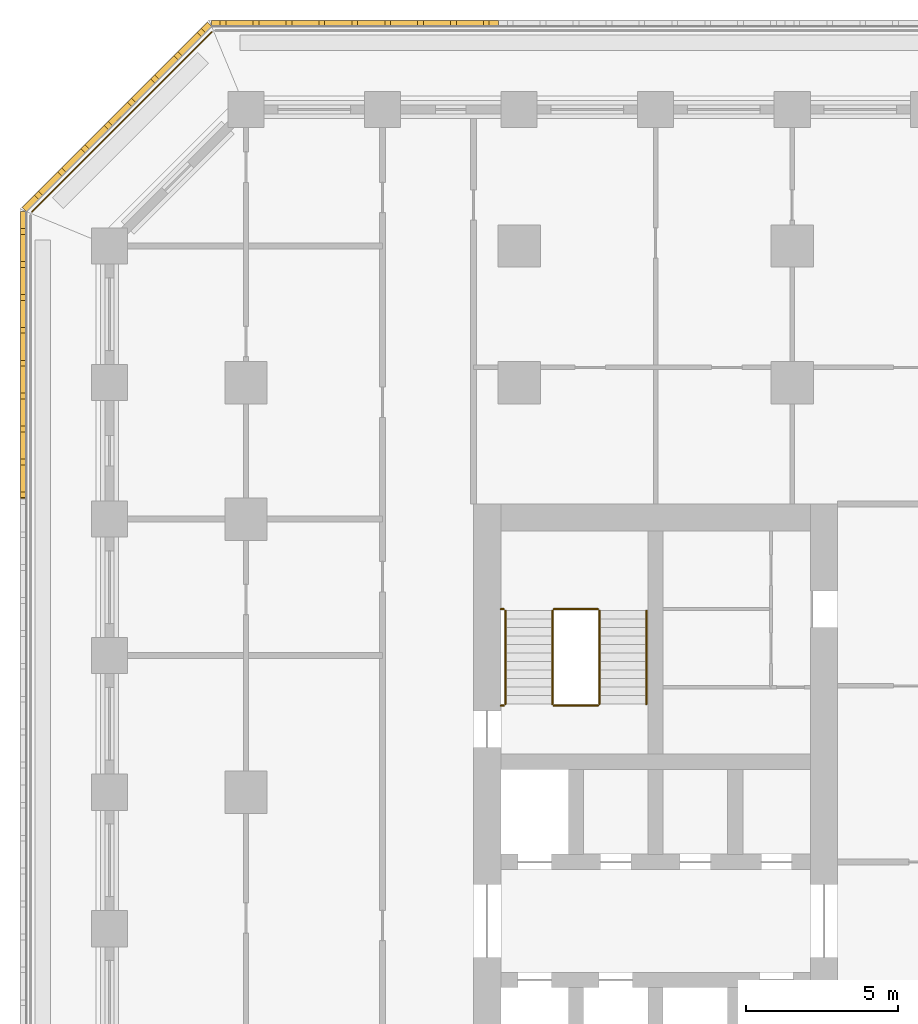
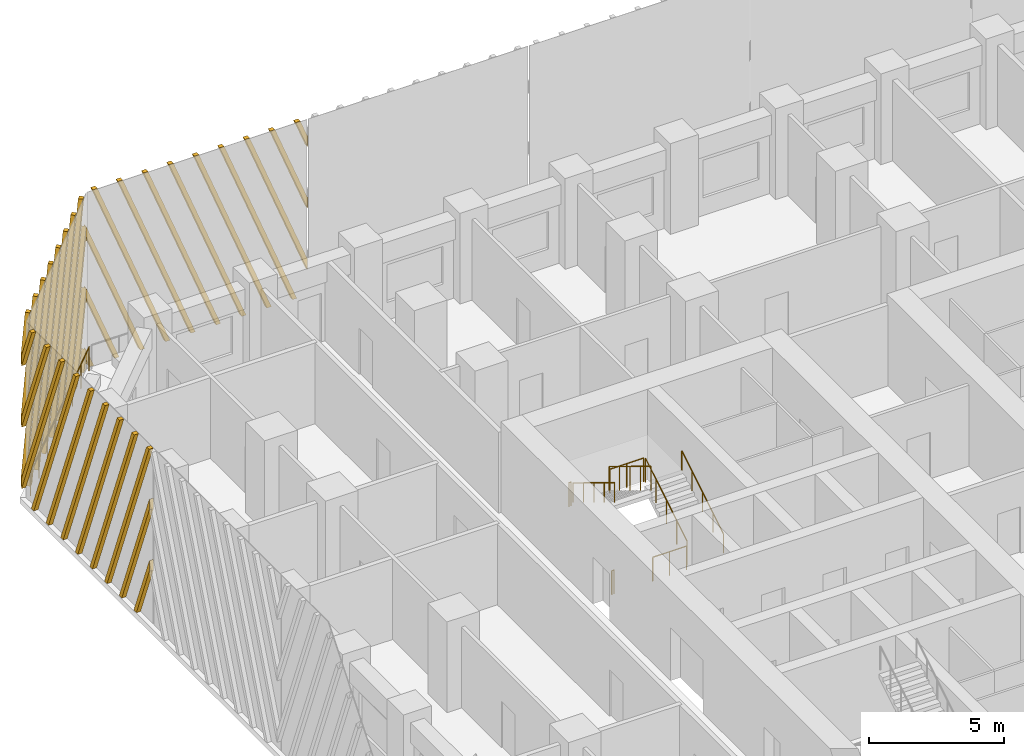
# One storey, part 16 of 20: 9 railings, 3 shading devices.
"""IFC4 building model written with IfcOpenShell, lengths in metres."""

from ifc_helpers import new_model, si_unit, direction, frame, origin, origin_2d, place, context, subcontext, project, spatial, polyline, circle, outline, extrude, source, transform, mapped, material, type_object, element, save


model = new_model("IFC4")

# Units and contexts
model_context = context("Model", 3, precision=1e-05, world=origin(), true_north=direction((0.0, 1.0)))
body_context = subcontext(model_context, "Body", "Model", "MODEL_VIEW")
ifc_project = project(units=[si_unit("LENGTHUNIT", "METRE"), si_unit("AREAUNIT", "SQUARE_METRE"), si_unit("VOLUMEUNIT", "CUBIC_METRE"), si_unit("PLANEANGLEUNIT", "RADIAN"), si_unit("MASSUNIT", "GRAM", prefix="KILO")], contexts=[model_context])

# Site, building, storey
site_placement = place(None, origin())
site = spatial("IfcSite", under=ifc_project, at=site_placement, CompositionType="ELEMENT")
building_placement = place(site_placement, origin())
building = spatial("IfcBuilding", under=site, at=building_placement, Name="Corbel Stack Research Tower", CompositionType="ELEMENT")
storey_placement = place(building_placement, frame((0.0, 0.0, 98.39990234375)))
storey = spatial("IfcBuildingStorey", under=building, at=storey_placement, Name="L22", CompositionType="ELEMENT", Elevation=98.39990234375)

# Railings
ifc_material_1 = material(Name="Steel S355", Category="steel")
railing_type_1 = type_object("IfcRailingType", Name="Stair guard 1100", PredefinedType="GUARDRAIL", material=ifc_material_1)
railing_1_placement = place(storey_placement, frame((-6.35009765625, 11.89990234375, 0.1708984375)))
element("IfcRailing", 1, at=railing_1_placement, inside=storey, type_object=railing_type_1, Name="L22 ST-W2 stair guard 1", PredefinedType="GUARDRAIL", context=body_context, shape_type="SweptSolid", body=[
    extrude(circle(Radius=0.02392578125, at=origin_2d()), frame((0.0, 0.0, 1.076171875), z_axis=(0.0, 0.853666305674, 0.52082035152), x_axis=(-1.0, 0.0, 0.0)), (0.0, 0.0, 1.0), 3.608154296875),
    extrude(circle(Radius=0.02099609375, at=origin_2d()), origin(), (0.0, 0.0, 1.0), 1.052001953125),
    extrude(circle(Radius=0.02099609375, at=origin_2d()), frame((0.0, 0.77001953125, 0.4697265625)), (0.0, 0.0, 1.0), 1.052001953125),
    extrude(circle(Radius=0.02099609375, at=origin_2d()), frame((0.0, 1.5400390625, 0.939453125)), (0.0, 0.0, 1.0), 1.052001953125),
    extrude(circle(Radius=0.02099609375, at=origin_2d()), frame((0.0, 2.31005859375, 1.409423828125)), (0.0, 0.0, 1.0), 1.052001953125),
    extrude(circle(Radius=0.02099609375, at=origin_2d()), frame((0.0, 3.080078125, 1.879150390625)), (0.0, 0.0, 1.0), 1.052001953125),
])
railing_2_placement = place(storey_placement, frame((-6.39990234375, 15.030029296875, 2.050048828125)))
element("IfcRailing", 2, at=railing_2_placement, inside=storey, type_object=railing_type_1, Name="L22 ST-W2 stair guard 2", PredefinedType="GUARDRAIL", context=body_context, shape_type="SweptSolid", body=[
    extrude(circle(Radius=0.02392578125, at=origin_2d()), frame((0.0, 0.0, 1.076171875), z_axis=(-1.0, 0.0, 0.0), x_axis=(0.0, -1.0, 0.0)), (0.0, 0.0, 1.0), 1.4501953125),
    extrude(circle(Radius=0.02099609375, at=origin_2d()), origin(), (0.0, 0.0, 1.0), 1.052001953125),
    extrude(circle(Radius=0.02099609375, at=origin_2d()), frame((-0.72509765625, 0.0, 0.0)), (0.0, 0.0, 1.0), 1.052001953125),
    extrude(circle(Radius=0.02099609375, at=origin_2d()), frame((-1.4501953125, 0.0, 0.0)), (0.0, 0.0, 1.0), 1.052001953125),
])
railing_3_placement = place(storey_placement, frame((-9.5, 15.030029296875, 2.050048828125)))
element("IfcRailing", 3, at=railing_3_placement, inside=storey, type_object=railing_type_1, Name="L22 ST-W2 stair guard 3", PredefinedType="GUARDRAIL", context=body_context, shape_type="SweptSolid", body=[
    extrude(circle(Radius=0.02392578125, at=origin_2d()), frame((0.0, 0.0, 1.076171875), z_axis=(-1.0, 0.0, 0.0), x_axis=(0.0, -1.0, 0.0)), (0.0, 0.0, 1.0), 0.10009765625),
    extrude(circle(Radius=0.02099609375, at=origin_2d()), origin(), (0.0, 0.0, 1.0), 1.052001953125),
    extrude(circle(Radius=0.02099609375, at=origin_2d()), frame((-0.10009765625, 0.0, 0.0)), (0.0, 0.0, 1.0), 1.052001953125),
])
railing_4_placement = place(storey_placement, frame((-7.89990234375, 14.97998046875, 2.220947265625)))
element("IfcRailing", 4, at=railing_4_placement, inside=storey, type_object=railing_type_1, Name="L22 ST-W2 stair guard 4", PredefinedType="GUARDRAIL", context=body_context, shape_type="SweptSolid", body=[
    extrude(circle(Radius=0.02392578125, at=origin_2d()), frame((0.0, 0.0, 1.076171875), z_axis=(0.0, -0.853666305674, 0.52082035152), x_axis=(1.0, 0.0, 0.0)), (0.0, 0.0, 1.0), 3.608154296875),
    extrude(circle(Radius=0.02099609375, at=origin_2d()), origin(), (0.0, 0.0, 1.0), 1.052001953125),
    extrude(circle(Radius=0.02099609375, at=origin_2d()), frame((0.0, -0.77001953125, 0.4697265625)), (0.0, 0.0, 1.0), 1.052001953125),
    extrude(circle(Radius=0.02099609375, at=origin_2d()), frame((0.0, -1.5400390625, 0.939453125)), (0.0, 0.0, 1.0), 1.052001953125),
    extrude(circle(Radius=0.02099609375, at=origin_2d()), frame((0.0, -2.31005859375, 1.409423828125)), (0.0, 0.0, 1.0), 1.052001953125),
    extrude(circle(Radius=0.02099609375, at=origin_2d()), frame((0.0, -3.080078125, 1.879150390625)), (0.0, 0.0, 1.0), 1.052001953125),
])
railing_5_placement = place(storey_placement, frame((-6.39990234375, 11.85009765625, 0.0)))
element("IfcRailing", 5, at=railing_5_placement, inside=storey, type_object=railing_type_1, Name="L22 ST-W2 stair guard 5", PredefinedType="GUARDRAIL", context=body_context, shape_type="SweptSolid", body=[
    extrude(circle(Radius=0.02392578125, at=origin_2d()), frame((0.0, 0.0, 1.076171875), z_axis=(-1.0, 0.0, 0.0), x_axis=(0.0, -1.0, 0.0)), (0.0, 0.0, 1.0), 1.4501953125),
    extrude(circle(Radius=0.02099609375, at=origin_2d()), origin(), (0.0, 0.0, 1.0), 1.052001953125),
    extrude(circle(Radius=0.02099609375, at=origin_2d()), frame((-0.72509765625, 0.0, 0.0)), (0.0, 0.0, 1.0), 1.052001953125),
    extrude(circle(Radius=0.02099609375, at=origin_2d()), frame((-1.4501953125, 0.0, 0.0)), (0.0, 0.0, 1.0), 1.052001953125),
])
railing_6_placement = place(storey_placement, frame((-9.5, 11.85009765625, 0.0)))
element("IfcRailing", 6, at=railing_6_placement, inside=storey, type_object=railing_type_1, Name="L22 ST-W2 stair guard 6", PredefinedType="GUARDRAIL", context=body_context, shape_type="SweptSolid", body=[
    extrude(circle(Radius=0.02392578125, at=origin_2d()), frame((0.0, 0.0, 1.076171875), z_axis=(-1.0, 0.0, 0.0), x_axis=(0.0, -1.0, 0.0)), (0.0, 0.0, 1.0), 0.10009765625),
    extrude(circle(Radius=0.02099609375, at=origin_2d()), origin(), (0.0, 0.0, 1.0), 1.052001953125),
    extrude(circle(Radius=0.02099609375, at=origin_2d()), frame((-0.10009765625, 0.0, 0.0)), (0.0, 0.0, 1.0), 1.052001953125),
])
ifc_material_2 = material(Name="Steel S355", Category="steel")
railing_type_2 = type_object("IfcRailingType", Name="Stair handrail 900", PredefinedType="HANDRAIL", material=ifc_material_2)
railing_7_placement = place(storey_placement, frame((-4.800048828125, 11.89990234375, 0.1708984375)))
element("IfcRailing", 7, at=railing_7_placement, inside=storey, type_object=railing_type_2, Name="L22 ST-W2 stair handrail 1", PredefinedType="HANDRAIL", context=body_context, shape_type="SweptSolid", body=[
    extrude(circle(Radius=0.02392578125, at=origin_2d()), frame((0.0, 0.0, 0.8759765625), z_axis=(0.0, 0.853666305674, 0.52082035152), x_axis=(-1.0, 0.0, 0.0)), (0.0, 0.0, 1.0), 3.608154296875),
    extrude(circle(Radius=0.02099609375, at=origin_2d()), origin(), (0.0, 0.0, 1.0), 0.851806640625),
    extrude(circle(Radius=0.02099609375, at=origin_2d()), frame((0.0, 0.77001953125, 0.4697265625)), (0.0, 0.0, 1.0), 0.851806640625),
    extrude(circle(Radius=0.02099609375, at=origin_2d()), frame((0.0, 1.5400390625, 0.939453125)), (0.0, 0.0, 1.0), 0.851806640625),
    extrude(circle(Radius=0.02099609375, at=origin_2d()), frame((0.0, 2.31005859375, 1.409423828125)), (0.0, 0.0, 1.0), 0.851806640625),
    extrude(circle(Radius=0.02099609375, at=origin_2d()), frame((0.0, 3.080078125, 1.879150390625)), (0.0, 0.0, 1.0), 0.851806640625),
])
railing_8_placement = place(storey_placement, frame((-9.449951171875, 14.97998046875, 2.220947265625)))
element("IfcRailing", 8, at=railing_8_placement, inside=storey, type_object=railing_type_2, Name="L22 ST-W2 stair handrail 2", PredefinedType="HANDRAIL", context=body_context, shape_type="SweptSolid", body=[
    extrude(circle(Radius=0.02392578125, at=origin_2d()), frame((0.0, 0.0, 0.8759765625), z_axis=(0.0, -0.853666305674, 0.52082035152), x_axis=(1.0, 0.0, 0.0)), (0.0, 0.0, 1.0), 3.608154296875),
    extrude(circle(Radius=0.02099609375, at=origin_2d()), origin(), (0.0, 0.0, 1.0), 0.851806640625),
    extrude(circle(Radius=0.02099609375, at=origin_2d()), frame((0.0, -0.77001953125, 0.4697265625)), (0.0, 0.0, 1.0), 0.851806640625),
    extrude(circle(Radius=0.02099609375, at=origin_2d()), frame((0.0, -1.5400390625, 0.939453125)), (0.0, 0.0, 1.0), 0.851806640625),
    extrude(circle(Radius=0.02099609375, at=origin_2d()), frame((0.0, -2.31005859375, 1.409423828125)), (0.0, 0.0, 1.0), 0.851806640625),
    extrude(circle(Radius=0.02099609375, at=origin_2d()), frame((0.0, -3.080078125, 1.879150390625)), (0.0, 0.0, 1.0), 0.851806640625),
])
ifc_material_3 = material(Name="Powder-coated steel guard", Category="steel")
railing_type_3 = type_object("IfcRailingType", Name="Steel and glass guard 1100", PredefinedType="GUARDRAIL", material=ifc_material_3)
railing_9_placement = place(storey_placement, frame((-19.127685546875, 34.04931640625, 0.0)))
element("IfcRailing", 9, at=railing_9_placement, inside=storey, type_object=railing_type_3, Name="Loggia guard L22 NW", PredefinedType="GUARDRAIL", context=body_context, shape_type="SweptSolid", body=[
    extrude(circle(Radius=0.02392578125, at=origin_2d()), frame((0.0, 0.0, 1.076171875), z_axis=(-0.707106781187, -0.707106781187, 0.0), x_axis=(0.707106781187, -0.707106781187, 0.0)), (0.0, 0.0, 1.0), 8.37451171875),
    extrude(circle(Radius=0.02099609375, at=origin_2d()), origin(), (0.0, 0.0, 1.0), 1.052001953125),
    extrude(circle(Radius=0.02099609375, at=origin_2d()), frame((-0.845947265625, -0.845947265625, 0.0)), (0.0, 0.0, 1.0), 1.052001953125),
    extrude(circle(Radius=0.02099609375, at=origin_2d()), frame((-1.69189453125, -1.69189453125, 0.0)), (0.0, 0.0, 1.0), 1.052001953125),
    extrude(circle(Radius=0.02099609375, at=origin_2d()), frame((-2.537841796875, -2.537841796875, 0.0)), (0.0, 0.0, 1.0), 1.052001953125),
    extrude(circle(Radius=0.02099609375, at=origin_2d()), frame((-3.3837890625, -3.3837890625, 0.0)), (0.0, 0.0, 1.0), 1.052001953125),
    extrude(circle(Radius=0.02099609375, at=origin_2d()), frame((-4.229736328125, -4.229736328125, 0.0)), (0.0, 0.0, 1.0), 1.052001953125),
    extrude(circle(Radius=0.02099609375, at=origin_2d()), frame((-5.07568359375, -5.07568359375, 0.0)), (0.0, 0.0, 1.0), 1.052001953125),
    extrude(circle(Radius=0.02099609375, at=origin_2d()), frame((-5.921630859375, -5.921630859375, 0.0)), (0.0, 0.0, 1.0), 1.052001953125),
])

# Shading devices
ifc_material_4 = material(Name="Precast terracotta", Category="masonry")
shading_device_type = type_object("IfcShadingDeviceType", Name="Terracotta screen panel", PredefinedType="USERDEFINED", material=ifc_material_4)
shared_shape_1 = source(origin(), body_context, "Body", "SweptSolid", [
    extrude(outline(polyline([(0.48828125, 7.949951171875), (0.298095703125, 7.949951171875), (0.0, 7.1865234375), (0.0, 6.699951171875), (0.48828125, 7.949951171875)])), frame((0.0, 0.0, 0.0), z_axis=(0.0, -1.0, 0.0), x_axis=(1.0, 0.0, 0.0)), (0.0, 0.0, 1.0), 0.179931640625),
    extrude(outline(polyline([(1.572998046875, 7.949951171875), (1.3828125, 7.949951171875), (0.0, 4.4091796875), (0.0, 3.922607421875), (1.572998046875, 7.949951171875)])), frame((0.0, 0.0, 0.0), z_axis=(0.0, -1.0, 0.0), x_axis=(1.0, 0.0, 0.0)), (0.0, 0.0, 1.0), 0.179931640625),
    extrude(outline(polyline([(2.657470703125, 7.949951171875), (2.467529296875, 7.949951171875), (0.0, 1.6318359375), (0.0, 1.1455078125), (2.657470703125, 7.949951171875)])), frame((0.0, 0.0, 0.0), z_axis=(0.0, -1.0, 0.0), x_axis=(1.0, 0.0, 0.0)), (0.0, 0.0, 1.0), 0.179931640625),
    extrude(outline(polyline([(0.63720703125, 0.0), (3.7421875, 7.949951171875), (3.55224609375, 7.949951171875), (0.447265625, 0.0), (0.63720703125, 0.0)])), frame((0.0, 0.0, 0.0), z_axis=(0.0, -1.0, 0.0), x_axis=(1.0, 0.0, 0.0)), (0.0, 0.0, 1.0), 0.179931640625),
    extrude(outline(polyline([(1.721923828125, 0.0), (4.826904296875, 7.949951171875), (4.636962890625, 7.949951171875), (1.531982421875, 0.0), (1.721923828125, 0.0)])), frame((0.0, 0.0, 0.0), z_axis=(0.0, -1.0, 0.0), x_axis=(1.0, 0.0, 0.0)), (0.0, 0.0, 1.0), 0.179931640625),
    extrude(outline(polyline([(2.806640625, 0.0), (5.91162109375, 7.949951171875), (5.721435546875, 7.949951171875), (2.61669921875, 0.0), (2.806640625, 0.0)])), frame((0.0, 0.0, 0.0), z_axis=(0.0, -1.0, 0.0), x_axis=(1.0, 0.0, 0.0)), (0.0, 0.0, 1.0), 0.179931640625),
    extrude(outline(polyline([(3.891357421875, 0.0), (6.99609375, 7.949951171875), (6.80615234375, 7.949951171875), (3.701416015625, 0.0), (3.891357421875, 0.0)])), frame((0.0, 0.0, 0.0), z_axis=(0.0, -1.0, 0.0), x_axis=(1.0, 0.0, 0.0)), (0.0, 0.0, 1.0), 0.179931640625),
    extrude(outline(polyline([(4.97607421875, 0.0), (8.080810546875, 7.949951171875), (7.890869140625, 7.949951171875), (4.785888671875, 0.0), (4.97607421875, 0.0)])), frame((0.0, 0.0, 0.0), z_axis=(0.0, -1.0, 0.0), x_axis=(1.0, 0.0, 0.0)), (0.0, 0.0, 1.0), 0.179931640625),
    extrude(outline(polyline([(6.060791015625, 0.0), (9.16552734375, 7.949951171875), (8.9755859375, 7.949951171875), (5.87060546875, 0.0), (6.060791015625, 0.0)])), frame((0.0, 0.0, 0.0), z_axis=(0.0, -1.0, 0.0), x_axis=(1.0, 0.0, 0.0)), (0.0, 0.0, 1.0), 0.179931640625),
    extrude(outline(polyline([(7.145263671875, 0.0), (9.45556640625, 5.91552734375), (9.45556640625, 6.402099609375), (6.955322265625, 0.0), (7.145263671875, 0.0)])), frame((0.0, 0.0, 0.0), z_axis=(0.0, -1.0, 0.0), x_axis=(1.0, 0.0, 0.0)), (0.0, 0.0, 1.0), 0.179931640625),
    extrude(outline(polyline([(8.22998046875, 0.0), (9.45556640625, 3.13818359375), (9.45556640625, 3.624755859375), (8.0400390625, 0.0), (8.22998046875, 0.0)])), frame((0.0, 0.0, 0.0), z_axis=(0.0, -1.0, 0.0), x_axis=(1.0, 0.0, 0.0)), (0.0, 0.0, 1.0), 0.179931640625),
    extrude(outline(polyline([(9.314697265625, 0.0), (9.45556640625, 0.361083984375), (9.45556640625, 0.847412109375), (9.124755859375, 0.0), (9.314697265625, 0.0)])), frame((0.0, 0.0, 0.0), z_axis=(0.0, -1.0, 0.0), x_axis=(1.0, 0.0, 0.0)), (0.0, 0.0, 1.0), 0.179931640625),
])
shading_device_1_placement = place(storey_placement, frame((-9.68359375, 34.25, 0.0), z_axis=(0.0, 0.0, 1.0), x_axis=(-1.0, 0.0, 0.0)))
element("IfcShadingDevice", 10, at=shading_device_1_placement, inside=storey, type_object=shading_device_type, Name="Terracotta screen L22 N5", ObjectType="SCREEN", PredefinedType="USERDEFINED", context=body_context, shape_type="MappedRepresentation", body=[
    mapped(shared_shape_1, transform((0.0, 0.0, 0.0))),
])
shared_shape_2 = source(origin(), body_context, "Body", "SweptSolid", [
    extrude(outline(polyline([(0.3310546875, 0.0), (0.0, 0.847412109375), (0.0, 0.361083984375), (0.14111328125, 0.0), (0.3310546875, 0.0)])), frame((0.0, 0.0, 0.0), z_axis=(0.0, -1.0, 0.0), x_axis=(1.0, 0.0, 0.0)), (0.0, 0.0, 1.0), 0.179931640625),
    extrude(outline(polyline([(1.41552734375, 0.0), (0.0, 3.624755859375), (0.0, 3.13818359375), (1.2255859375, 0.0), (1.41552734375, 0.0)])), frame((0.0, 0.0, 0.0), z_axis=(0.0, -1.0, 0.0), x_axis=(1.0, 0.0, 0.0)), (0.0, 0.0, 1.0), 0.179931640625),
    extrude(outline(polyline([(2.500244140625, 0.0), (0.0, 6.402099609375), (0.0, 5.91552734375), (2.310302734375, 0.0), (2.500244140625, 0.0)])), frame((0.0, 0.0, 0.0), z_axis=(0.0, -1.0, 0.0), x_axis=(1.0, 0.0, 0.0)), (0.0, 0.0, 1.0), 0.179931640625),
    extrude(outline(polyline([(3.5849609375, 0.0), (0.47998046875, 7.949951171875), (0.2900390625, 7.949951171875), (3.39501953125, 0.0), (3.5849609375, 0.0)])), frame((0.0, 0.0, 0.0), z_axis=(0.0, -1.0, 0.0), x_axis=(1.0, 0.0, 0.0)), (0.0, 0.0, 1.0), 0.179931640625),
    extrude(outline(polyline([(4.669677734375, 0.0), (1.564697265625, 7.949951171875), (1.374755859375, 7.949951171875), (4.4794921875, 0.0), (4.669677734375, 0.0)])), frame((0.0, 0.0, 0.0), z_axis=(0.0, -1.0, 0.0), x_axis=(1.0, 0.0, 0.0)), (0.0, 0.0, 1.0), 0.179931640625),
    extrude(outline(polyline([(5.75439453125, 0.0), (2.6494140625, 7.949951171875), (2.45947265625, 7.949951171875), (5.564208984375, 0.0), (5.75439453125, 0.0)])), frame((0.0, 0.0, 0.0), z_axis=(0.0, -1.0, 0.0), x_axis=(1.0, 0.0, 0.0)), (0.0, 0.0, 1.0), 0.179931640625),
    extrude(outline(polyline([(6.839111328125, 0.0), (3.734130859375, 7.949951171875), (3.544189453125, 7.949951171875), (6.64892578125, 0.0), (6.839111328125, 0.0)])), frame((0.0, 0.0, 0.0), z_axis=(0.0, -1.0, 0.0), x_axis=(1.0, 0.0, 0.0)), (0.0, 0.0, 1.0), 0.179931640625),
    extrude(outline(polyline([(7.923583984375, 0.0), (4.81884765625, 7.949951171875), (4.62890625, 7.949951171875), (7.733642578125, 0.0), (7.923583984375, 0.0)])), frame((0.0, 0.0, 0.0), z_axis=(0.0, -1.0, 0.0), x_axis=(1.0, 0.0, 0.0)), (0.0, 0.0, 1.0), 0.179931640625),
    extrude(outline(polyline([(5.903564453125, 7.949951171875), (5.71337890625, 7.949951171875), (8.64208984375, 0.451171875), (8.64208984375, 0.9375), (5.903564453125, 7.949951171875)])), frame((0.0, 0.0, 0.0), z_axis=(0.0, -1.0, 0.0), x_axis=(1.0, 0.0, 0.0)), (0.0, 0.0, 1.0), 0.179931640625),
    extrude(outline(polyline([(6.988037109375, 7.949951171875), (6.798095703125, 7.949951171875), (8.64208984375, 3.228515625), (8.64208984375, 3.71484375), (6.988037109375, 7.949951171875)])), frame((0.0, 0.0, 0.0), z_axis=(0.0, -1.0, 0.0), x_axis=(1.0, 0.0, 0.0)), (0.0, 0.0, 1.0), 0.179931640625),
    extrude(outline(polyline([(8.07275390625, 7.949951171875), (7.8828125, 7.949951171875), (8.64208984375, 6.005615234375), (8.64208984375, 6.4921875), (8.07275390625, 7.949951171875)])), frame((0.0, 0.0, 0.0), z_axis=(0.0, -1.0, 0.0), x_axis=(1.0, 0.0, 0.0)), (0.0, 0.0, 1.0), 0.179931640625),
])
shading_device_2_placement = place(storey_placement, frame((-19.13916015625, 34.25, 0.0), z_axis=(0.0, 0.0, 1.0), x_axis=(-0.707106781187, -0.707106781187, 0.0)))
element("IfcShadingDevice", 11, at=shading_device_2_placement, inside=storey, type_object=shading_device_type, Name="Terracotta screen L22 NW1", ObjectType="SCREEN", PredefinedType="USERDEFINED", context=body_context, shape_type="MappedRepresentation", body=[
    mapped(shared_shape_2, transform((0.0, 0.0, 0.0))),
])
shared_shape_3 = source(origin(), body_context, "Body", "SweptSolid", [
    extrude(outline(polyline([(0.759521484375, 7.949951171875), (0.5693359375, 7.949951171875), (0.0, 6.4921875), (0.0, 6.005615234375), (0.759521484375, 7.949951171875)])), frame((0.0, 0.0, 0.0), z_axis=(0.0, -1.0, 0.0), x_axis=(1.0, 0.0, 0.0)), (0.0, 0.0, 1.0), 0.179931640625),
    extrude(outline(polyline([(1.843994140625, 7.949951171875), (1.654052734375, 7.949951171875), (0.0, 3.71484375), (0.0, 3.228515625), (1.843994140625, 7.949951171875)])), frame((0.0, 0.0, 0.0), z_axis=(0.0, -1.0, 0.0), x_axis=(1.0, 0.0, 0.0)), (0.0, 0.0, 1.0), 0.179931640625),
    extrude(outline(polyline([(2.9287109375, 7.949951171875), (2.73876953125, 7.949951171875), (0.0, 0.9375), (0.0, 0.451171875), (2.9287109375, 7.949951171875)])), frame((0.0, 0.0, 0.0), z_axis=(0.0, -1.0, 0.0), x_axis=(1.0, 0.0, 0.0)), (0.0, 0.0, 1.0), 0.179931640625),
    extrude(outline(polyline([(0.908447265625, 0.0), (4.013427734375, 7.949951171875), (3.823486328125, 7.949951171875), (0.718505859375, 0.0), (0.908447265625, 0.0)])), frame((0.0, 0.0, 0.0), z_axis=(0.0, -1.0, 0.0), x_axis=(1.0, 0.0, 0.0)), (0.0, 0.0, 1.0), 0.179931640625),
    extrude(outline(polyline([(1.9931640625, 0.0), (5.097900390625, 7.949951171875), (4.907958984375, 7.949951171875), (1.80322265625, 0.0), (1.9931640625, 0.0)])), frame((0.0, 0.0, 0.0), z_axis=(0.0, -1.0, 0.0), x_axis=(1.0, 0.0, 0.0)), (0.0, 0.0, 1.0), 0.179931640625),
    extrude(outline(polyline([(3.077880859375, 0.0), (6.1826171875, 7.949951171875), (5.99267578125, 7.949951171875), (2.8876953125, 0.0), (3.077880859375, 0.0)])), frame((0.0, 0.0, 0.0), z_axis=(0.0, -1.0, 0.0), x_axis=(1.0, 0.0, 0.0)), (0.0, 0.0, 1.0), 0.179931640625),
    extrude(outline(polyline([(4.16259765625, 0.0), (7.267333984375, 7.949951171875), (7.077392578125, 7.949951171875), (3.972412109375, 0.0), (4.16259765625, 0.0)])), frame((0.0, 0.0, 0.0), z_axis=(0.0, -1.0, 0.0), x_axis=(1.0, 0.0, 0.0)), (0.0, 0.0, 1.0), 0.179931640625),
    extrude(outline(polyline([(5.247314453125, 0.0), (8.35205078125, 7.949951171875), (8.162109375, 7.949951171875), (5.05712890625, 0.0), (5.247314453125, 0.0)])), frame((0.0, 0.0, 0.0), z_axis=(0.0, -1.0, 0.0), x_axis=(1.0, 0.0, 0.0)), (0.0, 0.0, 1.0), 0.179931640625),
    extrude(outline(polyline([(6.331787109375, 0.0), (9.436767578125, 7.949951171875), (9.24658203125, 7.949951171875), (6.141845703125, 0.0), (6.331787109375, 0.0)])), frame((0.0, 0.0, 0.0), z_axis=(0.0, -1.0, 0.0), x_axis=(1.0, 0.0, 0.0)), (0.0, 0.0, 1.0), 0.179931640625),
    extrude(outline(polyline([(7.41650390625, 0.0), (9.45556640625, 5.22119140625), (9.45556640625, 5.707763671875), (7.2265625, 0.0), (7.41650390625, 0.0)])), frame((0.0, 0.0, 0.0), z_axis=(0.0, -1.0, 0.0), x_axis=(1.0, 0.0, 0.0)), (0.0, 0.0, 1.0), 0.179931640625),
    extrude(outline(polyline([(8.501220703125, 0.0), (9.45556640625, 2.44384765625), (9.45556640625, 2.930419921875), (8.311279296875, 0.0), (8.501220703125, 0.0)])), frame((0.0, 0.0, 0.0), z_axis=(0.0, -1.0, 0.0), x_axis=(1.0, 0.0, 0.0)), (0.0, 0.0, 1.0), 0.179931640625),
])
shading_device_3_placement = place(storey_placement, frame((-25.25, 28.13916015625, 0.0), z_axis=(0.0, 0.0, 1.0), x_axis=(0.0, -1.0, 0.0)))
element("IfcShadingDevice", 12, at=shading_device_3_placement, inside=storey, type_object=shading_device_type, Name="Terracotta screen L22 W1", ObjectType="SCREEN", PredefinedType="USERDEFINED", context=body_context, shape_type="MappedRepresentation", body=[
    mapped(shared_shape_3, transform((0.0, 0.0, 0.0))),
])

save(model, "model.ifc")
